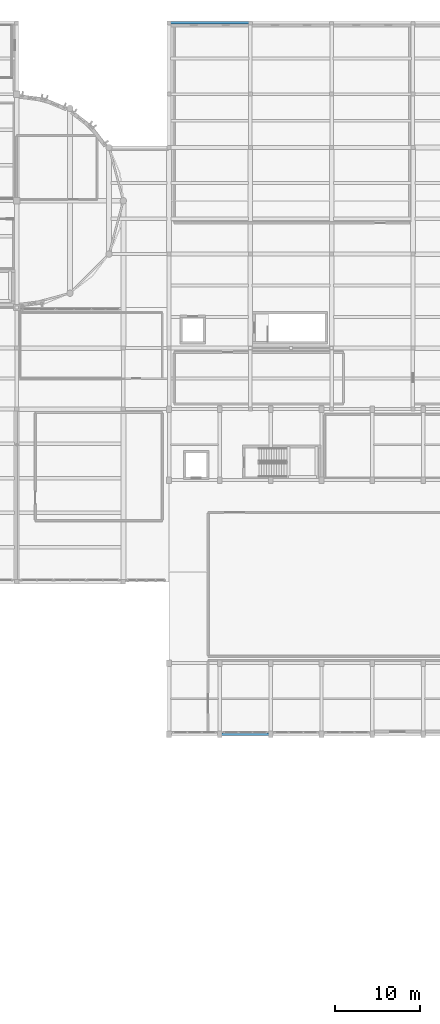
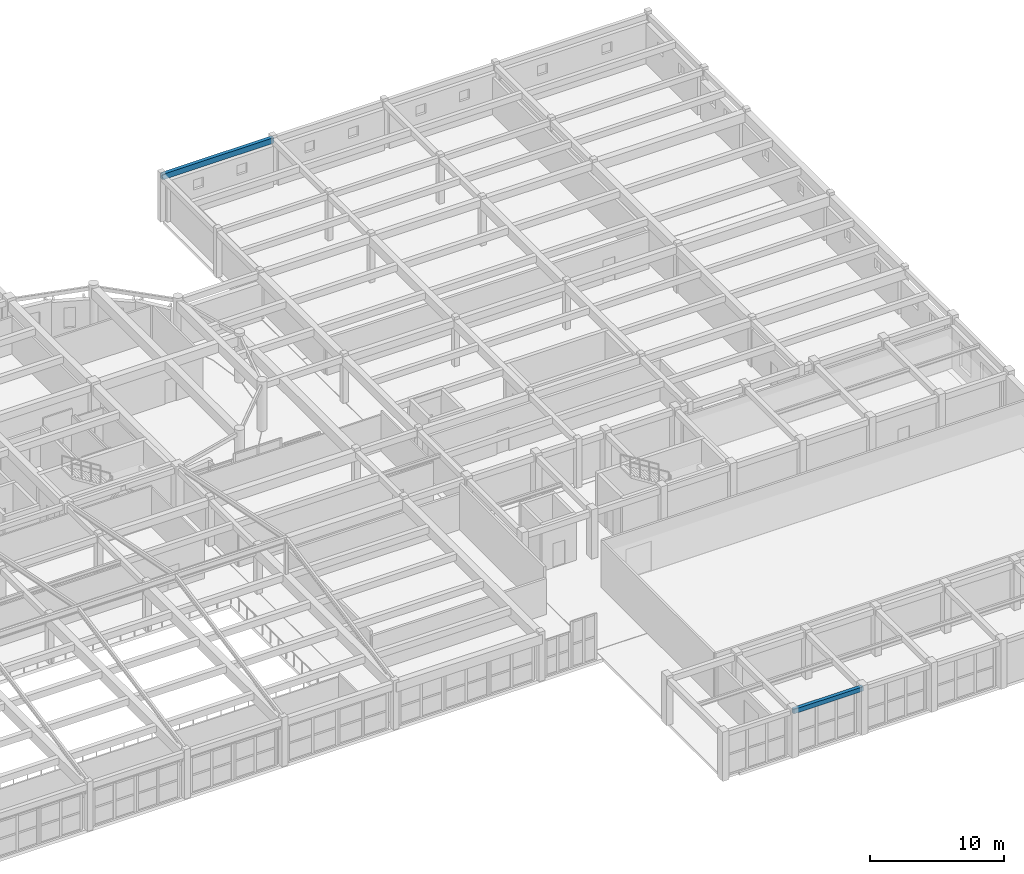
# One storey, part 52 of 91: 2 beams.
"""IFC4 building model written with IfcOpenShell, lengths in metres."""

from ifc_helpers import new_model, si_unit, direction, frame, origin, origin_2d, place, context, subcontext, project, spatial, rectangle, extrude, material, material_profile, profile_set, type_object, element, save


model = new_model("IFC4")

# Units and contexts
model_context = context("Model", 3, precision=1e-05, world=origin(), true_north=direction((0.0, 1.0)))
body_context = subcontext(model_context, "Body", "Model", "MODEL_VIEW")
ifc_project = project(units=[si_unit("LENGTHUNIT", "METRE"), si_unit("AREAUNIT", "SQUARE_METRE"), si_unit("VOLUMEUNIT", "CUBIC_METRE"), si_unit("PLANEANGLEUNIT", "RADIAN"), si_unit("MASSUNIT", "GRAM", prefix="KILO")], contexts=[model_context])

# Site, building, storey
site_placement = place(None, origin())
site = spatial("IfcSite", under=ifc_project, at=site_placement, CompositionType="ELEMENT")
building_placement = place(site_placement, origin())
building = spatial("IfcBuilding", under=site, at=building_placement, Name="Tarnavel Promenade Courthouse", CompositionType="ELEMENT")
storey_placement = place(building_placement, frame((0.0, 0.0, 9.89990234375)))
storey = spatial("IfcBuildingStorey", under=building, at=storey_placement, Name="L03", CompositionType="ELEMENT", Elevation=9.89990234375)

# Beams
ifc_material = material(Name="Concrete C40/50", Category="concrete")
ifc_material_profile_1 = material_profile(ifc_material, rectangle(XDim=0.300048828125, YDim=0.39990234375, at=origin_2d()), Name="RC 300x400")
ifc_profile_set_1 = profile_set([ifc_material_profile_1], Name="Concrete C40/50")
beam_type_1 = type_object("IfcBeamType", Name="Concrete C40/50 BM-SP-300x400 (RC 300x400)", PredefinedType="SPANDREL", material=ifc_profile_set_1)
beam_1_placement = place(storey_placement, frame((126.0, 28.800048828125, 4.045166015625), z_axis=(1.0, 0.0, 0.0), x_axis=(0.0, 1.0, 0.0)))
element("IfcBeam", 1, at=beam_1_placement, inside=storey, type_object=beam_type_1, Name="L03 Primary Longitudinal Beam 1543", PredefinedType="SPANDREL", context=body_context, shape_type="SweptSolid", body=[
    extrude(rectangle(XDim=0.300048828125, YDim=0.39990234375, at=origin_2d()), origin(), (0.0, 0.0, 1.0), 6.0),
])
ifc_material_profile_2 = material_profile(ifc_material, rectangle(XDim=0.300048828125, YDim=0.5, at=origin_2d()), Name="RC 300x500")
ifc_profile_set_2 = profile_set([ifc_material_profile_2], Name="Concrete C40/50")
beam_type_2 = type_object("IfcBeamType", Name="Concrete C40/50 BM-SP-300x500 (RC 300x500)", PredefinedType="SPANDREL", material=ifc_profile_set_2)
beam_2_placement = place(storey_placement, frame((120.0, 112.800048828125, 3.9951171875), z_axis=(1.0, 0.0, 0.0), x_axis=(0.0, 1.0, 0.0)))
element("IfcBeam", 2, at=beam_2_placement, inside=storey, type_object=beam_type_2, Name="L03 Primary Longitudinal Beam 1682", PredefinedType="SPANDREL", context=body_context, shape_type="SweptSolid", body=[
    extrude(rectangle(XDim=0.300048828125, YDim=0.5, at=origin_2d()), origin(), (0.0, 0.0, 1.0), 9.60009765625),
])

save(model, "model.ifc")
